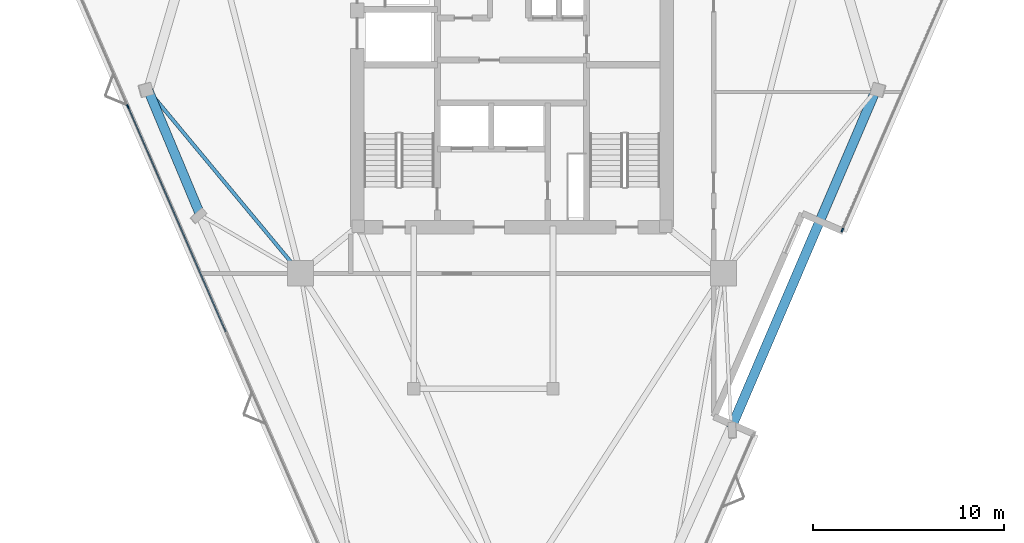
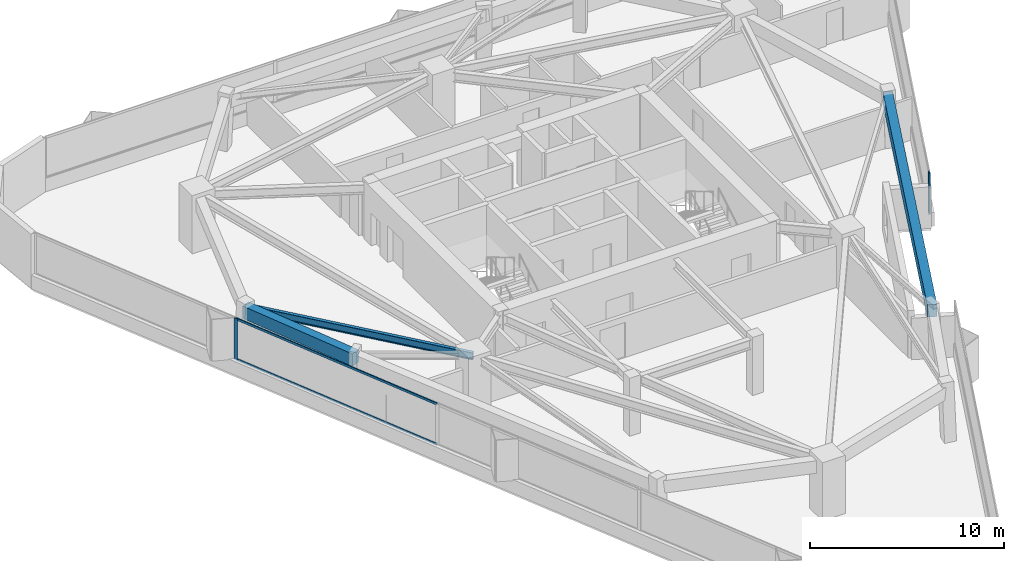
# One storey, part 3 of 9: 4 members, 3 beams, 2 elements without a shape of their own.
"""IFC4 building model written with IfcOpenShell, lengths in metres."""

from ifc_helpers import new_model, si_unit, direction, frame, origin, origin_2d, place, context, subcontext, project, spatial, rectangle, i_section, extrude, material, layer, layer_set, material_profile, profile_set, type_object, element, aggregate, save


model = new_model("IFC4")

# Units and contexts
model_context = context("Model", 3, precision=1e-05, world=origin(), true_north=direction((0.0, 1.0)))
body_context = subcontext(model_context, "Body", "Model", "MODEL_VIEW")
ifc_project = project(units=[si_unit("LENGTHUNIT", "METRE"), si_unit("AREAUNIT", "SQUARE_METRE"), si_unit("VOLUMEUNIT", "CUBIC_METRE"), si_unit("PLANEANGLEUNIT", "RADIAN"), si_unit("MASSUNIT", "GRAM", prefix="KILO")], contexts=[model_context])

# Site, building, storey
site_placement = place(None, origin())
site = spatial("IfcSite", under=ifc_project, at=site_placement, CompositionType="ELEMENT")
building_placement = place(site_placement, origin())
building = spatial("IfcBuilding", under=site, at=building_placement, Name="Talyreon Biosciences Tower", CompositionType="ELEMENT")
storey_placement = place(building_placement, frame((0.0, 0.0, 208.60009765625)))
storey = spatial("IfcBuildingStorey", under=building, at=storey_placement, Name="L55", CompositionType="ELEMENT", Elevation=208.60009765625)

# Curtain wall, member
ifc_material_1 = material(Name="Thermally broken aluminium and low-E glazing", Category="aluminium")
ifc_layer = layer(ifc_material_1, 0.205078125)
ifc_layer_set = layer_set([ifc_layer], Name="Thermally broken aluminium and low-E glazing")
curtain_wall_type = type_object("IfcCurtainWallType", Name="CurtainWall_SkyGardenLoggia", PredefinedType="NOTDEFINED", material=ifc_layer_set)
curtain_wall_1_placement = place(storey_placement, origin())
curtain_wall_1 = element("IfcCurtainWall", 1, at=curtain_wall_1_placement, inside=storey, type_object=curtain_wall_type, Name="L55 Unitised Curtain Wall FCW-L55-07", PredefinedType="NOTDEFINED")
ifc_material_2 = material(Name="Anodised thermally broken aluminium", Category="aluminium")
ifc_material_profile_1 = material_profile(ifc_material_2, rectangle(XDim=0.074951171875, YDim=0.2099609375, at=origin_2d()), Name="ALUM MULLION 75x210")
ifc_profile_set_1 = profile_set([ifc_material_profile_1], Name="Anodised thermally broken aluminium")
member_type_1 = type_object("IfcMemberType", Name="CWMullion_75x210", PredefinedType="MULLION", material=ifc_profile_set_1)
member_1_placement = place(storey_placement, frame((83.30517578125, 61.140625, 0.809814453125), z_axis=(0.0, 0.0, 1.0), x_axis=(0.91711290669, -0.398627540924, 0.0)))
member_1 = element("IfcMember", 2, at=member_1_placement, type_object=member_type_1, Name="CW7 mullion 2", PredefinedType="MULLION", context=body_context, shape_type="SweptSolid", body=[
    extrude(rectangle(XDim=0.074951171875, YDim=0.2099609375, at=origin_2d()), origin(), (0.0, 0.0, 1.0), 2.590087890625),
])
aggregate(curtain_wall_1, [member_1])

# Curtain wall, members
curtain_wall_2_placement = place(storey_placement, origin())
curtain_wall_2 = element("IfcCurtainWall", 3, at=curtain_wall_2_placement, inside=storey, type_object=curtain_wall_type, Name="L55 Unitised Curtain Wall FCW-L55-15", PredefinedType="NOTDEFINED")
member_2_placement = place(storey_placement, frame((45.88037109375, 67.61572265625, 0.809814453125), z_axis=(0.0, 0.0, 1.0), x_axis=(-0.917113439943, -0.398626314079, 0.0)))
member_2 = element("IfcMember", 4, at=member_2_placement, type_object=member_type_1, Name="CW7 mullion 4", PredefinedType="MULLION", context=body_context, shape_type="SweptSolid", body=[
    extrude(rectangle(XDim=0.074951171875, YDim=0.2099609375, at=origin_2d()), origin(), (0.0, 0.0, 1.0), 2.590087890625),
])
ifc_material_profile_2 = material_profile(ifc_material_2, rectangle(XDim=0.06494140625, YDim=0.139892578125, at=origin_2d()), Name="ALUM TRANSOM 65x140")
ifc_profile_set_2 = profile_set([ifc_material_profile_2], Name="Anodised thermally broken aluminium")
member_type_2 = type_object("IfcMemberType", Name="CWTransom_65x140", PredefinedType="USERDEFINED", material=ifc_profile_set_2)
member_3_placement = place(storey_placement, frame((51.0068359375, 55.821533203125, 0.84228515625), z_axis=(-0.398636298553, 0.917109100095, 0.0), x_axis=(-0.917109100095, -0.398636298553, 0.0)))
member_3 = element("IfcMember", 5, at=member_3_placement, type_object=member_type_2, Name="CW7 transom 3.1", ObjectType="TRANSOM", PredefinedType="USERDEFINED", context=body_context, shape_type="SweptSolid", body=[
    extrude(rectangle(XDim=0.06494140625, YDim=0.139892578125, at=origin_2d()), origin(), (0.0, 0.0, 1.0), 12.82275390625),
])
member_4_placement = place(storey_placement, frame((51.0068359375, 55.821533203125, 3.367431640625), z_axis=(-0.398636298553, 0.917109100095, 0.0), x_axis=(-0.917109100095, -0.398636298553, 0.0)))
member_4 = element("IfcMember", 6, at=member_4_placement, type_object=member_type_2, Name="CW7 transom 3.2", ObjectType="TRANSOM", PredefinedType="USERDEFINED", context=body_context, shape_type="SweptSolid", body=[
    extrude(rectangle(XDim=0.06494140625, YDim=0.139892578125, at=origin_2d()), origin(), (0.0, 0.0, 1.0), 12.82275390625),
])
aggregate(curtain_wall_2, [member_2, member_3, member_4])

# Beams
ifc_material_3 = material(Name="Precast concrete C45/55", Category="concrete")
ifc_material_profile_3 = material_profile(ifc_material_3, rectangle(XDim=0.5, YDim=0.780029296875, at=origin_2d()), Name="RCB 500x780")
ifc_profile_set_3 = profile_set([ifc_material_profile_3], Name="Precast concrete C45/55")
beam_type_1 = type_object("IfcBeamType", Name="ExpressedSpandrel_500x780", PredefinedType="SPANDREL", material=ifc_profile_set_3)
beam_1_placement = place(storey_placement, frame((77.47802734375, 50.775634765625, 3.010009765625), z_axis=(0.393689726542, 0.919243384102, 0.0), x_axis=(-0.919243384102, 0.393689726542, 0.0)))
element("IfcBeam", 7, at=beam_1_placement, inside=storey, type_object=beam_type_1, Name="L55 Expressed Horizontal Concrete Spandrel 03", PredefinedType="SPANDREL", context=body_context, shape_type="SweptSolid", body=[
    extrude(rectangle(XDim=0.5, YDim=0.780029296875, at=origin_2d()), origin(), (0.0, 0.0, 1.0), 19.25341796875),
])
beam_2_placement = place(storey_placement, frame((46.942138671875, 68.47412109375, 3.010009765625), z_axis=(0.385487614314, -0.92271301021, 0.0), x_axis=(0.92271301021, 0.385487614314, 0.0)))
element("IfcBeam", 8, at=beam_2_placement, inside=storey, type_object=beam_type_1, Name="L55 Expressed Horizontal Concrete Spandrel 10", PredefinedType="SPANDREL", context=body_context, shape_type="SweptSolid", body=[
    extrude(rectangle(XDim=0.5, YDim=0.780029296875, at=origin_2d()), origin(), (0.0, 0.0, 1.0), 7.093994140625),
])
ifc_material_4 = material(Name="Steel SM355", Category="steel")
ifc_material_profile_4 = material_profile(ifc_material_4, i_section(OverallWidth=0.18994140625, OverallDepth=0.449951171875, WebThickness=0.009521484375, FlangeThickness=0.0146484375, FilletRadius=0.02099609375, at=origin_2d()), Name="IPE450")
ifc_profile_set_4 = profile_set([ifc_material_profile_4], Name="Steel SM355")
beam_type_2 = type_object("IfcBeamType", Name="SteelJoist_IPE450", PredefinedType="JOIST", material=ifc_profile_set_4)
beam_3_placement = place(storey_placement, frame((54.913818359375, 58.88037109375, 3.1748046875), z_axis=(-0.639090242642, 0.769131758387, 0.0), x_axis=(-0.769131758387, -0.639090242642, 0.0)))
element("IfcBeam", 9, at=beam_3_placement, inside=storey, type_object=beam_type_2, Name="L55 Radial Composite Floor Joist PC-SW1", PredefinedType="JOIST", context=body_context, shape_type="SweptSolid", body=[
    extrude(i_section(OverallWidth=0.18994140625, OverallDepth=0.449951171875, WebThickness=0.009521484375, FlangeThickness=0.0146484375, FilletRadius=0.02099609375, at=origin_2d()), origin(), (0.0, 0.0, 1.0), 12.473388671875),
])

save(model, "model.ifc")
